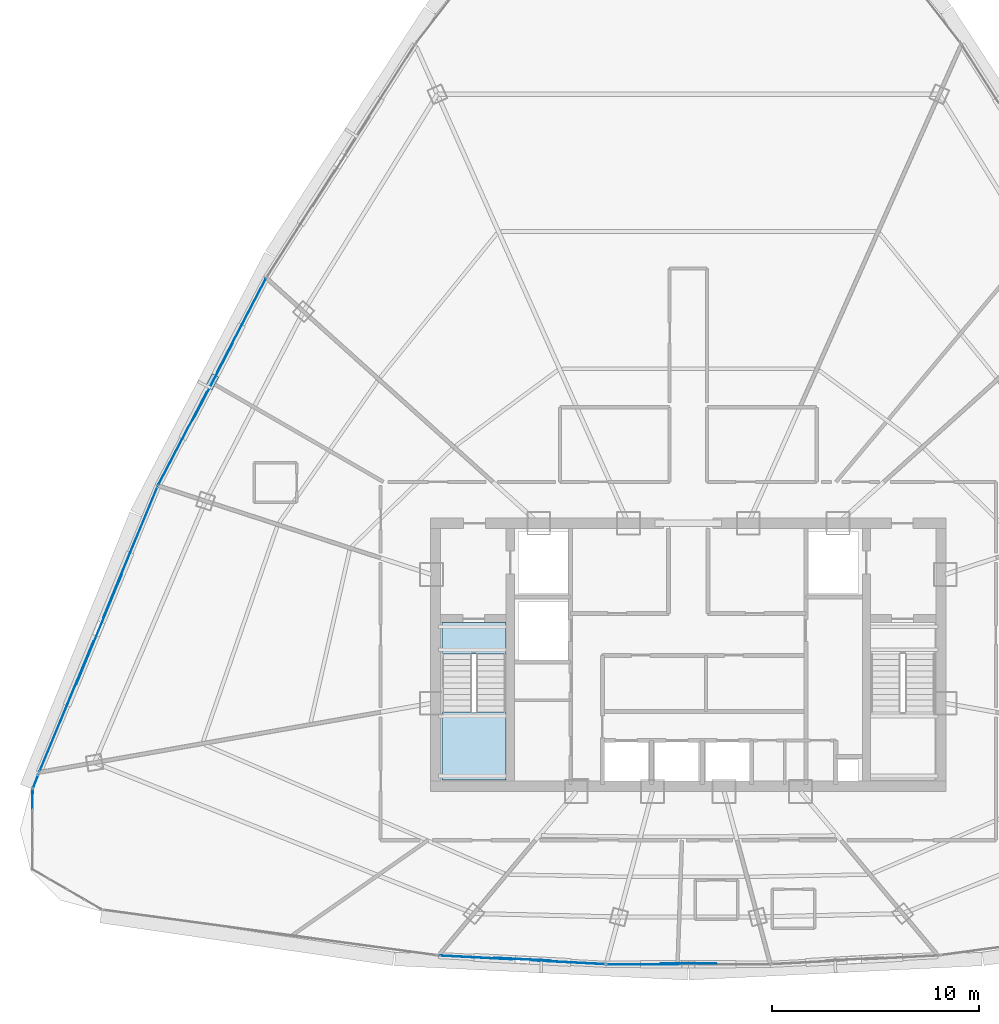
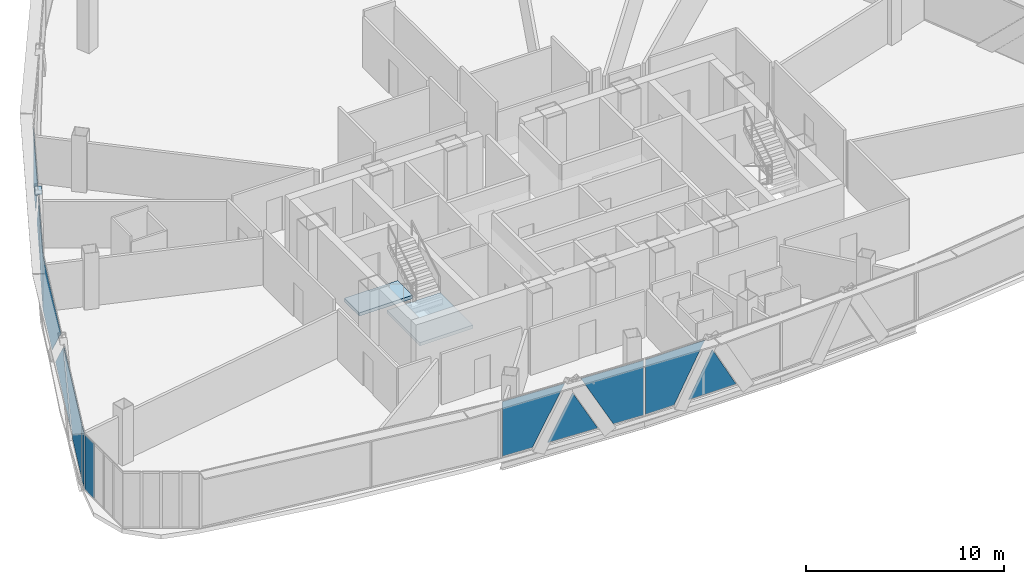
# One storey, part 30 of 40: 14 plates, 2 slabs, 7 elements without a shape of their own.
"""IFC4 building model written with IfcOpenShell, lengths in metres."""

from ifc_helpers import new_model, si_unit, direction, frame, origin, origin_2d, place, context, subcontext, project, spatial, polyline, rectangle, outline, extrude, source, transform, mapped, material, layer, layer_set, type_object, element, aggregate, save


model = new_model("IFC4")

# Units and contexts
model_context = context("Model", 3, precision=1e-05, world=origin(), true_north=direction((0.0, 1.0)))
body_context = subcontext(model_context, "Body", "Model", "MODEL_VIEW")
ifc_project = project(units=[si_unit("LENGTHUNIT", "METRE"), si_unit("AREAUNIT", "SQUARE_METRE"), si_unit("VOLUMEUNIT", "CUBIC_METRE"), si_unit("PLANEANGLEUNIT", "RADIAN"), si_unit("MASSUNIT", "GRAM", prefix="KILO"), si_unit("THERMODYNAMICTEMPERATUREUNIT", "KELVIN"), si_unit("POWERUNIT", "WATT")], contexts=[model_context])

# Site, building, storey
site_placement = place(None, origin())
site = spatial("IfcSite", under=ifc_project, at=site_placement, CompositionType="ELEMENT")
building_placement = place(site_placement, origin())
building = spatial("IfcBuilding", under=site, at=building_placement, Name="Yunzhuo Pagoda Commons", CompositionType="ELEMENT")
storey_placement = place(building_placement, frame((0.0, 0.0, 292.47998046875)))
storey = spatial("IfcBuildingStorey", under=building, at=storey_placement, Name="L73", CompositionType="ELEMENT", Elevation=292.47998046875)

# Curtain wall, plates
ifc_material_1 = material(Name="Anodized aluminium 6063-T6", Category="aluminium")
ifc_layer_1 = layer(ifc_material_1, 0.139892578125)
ifc_layer_set_1 = layer_set([ifc_layer_1], Name="Anodized aluminium 6063-T6")
curtain_wall_type_1 = type_object("IfcCurtainWallType", Name="CW-HI High-Zone Ribbon Curtain Wall", PredefinedType="NOTDEFINED", material=ifc_layer_set_1)
curtain_wall_1_placement = place(storey_placement, origin())
curtain_wall_1 = element("IfcCurtainWall", 1, at=curtain_wall_1_placement, inside=storey, type_object=curtain_wall_type_1, Name="L73 curtain wall CW-L73-F1B2", PredefinedType="NOTDEFINED")
ifc_material_2 = material(Name="Tempered low-e double glazing", Category="glass")
ifc_layer_2 = layer(ifc_material_2, 0.02587890625)
ifc_layer_set_2 = layer_set([ifc_layer_2], Name="Tempered low-e double glazing")
plate_type_1 = type_object("IfcPlateType", Name="CW-HI-P Low-E Double Glazing 26", PredefinedType="CURTAIN_PANEL", material=ifc_layer_set_2)
plate_1_placement = place(storey_placement, frame((37.767822265625, 19.252197265625, 1.735107421875), z_axis=(-0.052189625547, -0.998637192871, 0.0), x_axis=(0.998637192871, -0.052189625547, 0.0)))
plate_1 = element("IfcPlate", 2, at=plate_1_placement, type_object=plate_type_1, Name="CW panel 1.1 lite 1", PredefinedType="CURTAIN_PANEL", context=body_context, shape_type="SweptSolid", body=[
    extrude(outline(polyline([(-1.7646484375, -1.679931640625), (-0.060302734375, -1.679931640625), (1.7646484375, 1.679931640625), (-1.7646484375, 1.679931640625), (-1.7646484375, -1.679931640625)])), origin(), (0.0, 0.0, 1.0), 0.028076171875),
])
plate_2_placement = place(storey_placement, frame((39.993408203125, 19.166015625, 1.364501953125), z_axis=(-0.052189625547, -0.998637192871, 0.0), x_axis=(0.998637192871, -0.052189625547, 0.0)))
plate_2 = element("IfcPlate", 3, at=plate_2_placement, type_object=plate_type_1, Name="CW panel 1.1 lite 2", PredefinedType="CURTAIN_PANEL", context=body_context, shape_type="SweptSolid", body=[
    extrude(outline(polyline([(-1.42236328125, -1.309326171875), (1.42236328125, -1.309326171875), (0.0, 1.309326171875), (-1.42236328125, -1.309326171875)])), origin(), (0.0, 0.0, 1.0), 0.028076171875),
])
plate_3_placement = place(storey_placement, frame((42.2158203125, 19.019775390625, 1.735107421875), z_axis=(-0.052189625547, -0.998637192871, 0.0), x_axis=(0.998637192871, -0.052189625547, 0.0)))
plate_3 = element("IfcPlate", 4, at=plate_3_placement, type_object=plate_type_1, Name="CW panel 1.1 lite 3", PredefinedType="CURTAIN_PANEL", context=body_context, shape_type="SweptSolid", body=[
    extrude(outline(polyline([(-1.7646484375, 1.679931640625), (0.060302734375, -1.679931640625), (1.7646484375, -1.679931640625), (1.7646484375, 1.679931640625), (-1.7646484375, 1.679931640625)])), origin(), (0.0, 0.0, 1.0), 0.028076171875),
])
aggregate(curtain_wall_1, [plate_1, plate_2, plate_3])

curtain_wall_2_placement = place(storey_placement, origin())
curtain_wall_2 = element("IfcCurtainWall", 5, at=curtain_wall_2_placement, inside=storey, type_object=curtain_wall_type_1, Name="L73 curtain wall CW-L73-F1B3", PredefinedType="NOTDEFINED")
plate_4_placement = place(storey_placement, frame((45.81884765625, 18.9248046875, 1.735107421875), z_axis=(0.0, -1.0, 0.0), x_axis=(1.0, 0.0, 0.0)))
plate_4 = element("IfcPlate", 6, at=plate_4_placement, type_object=plate_type_1, Name="CW panel 1.1 lite 1", PredefinedType="CURTAIN_PANEL", context=body_context, shape_type="SweptSolid", body=[
    extrude(outline(polyline([(-1.7216796875, -1.679931640625), (-0.063232421875, -1.679931640625), (1.7216796875, 1.679931640625), (-1.7216796875, 1.679931640625), (-1.7216796875, -1.679931640625)])), origin(), (0.0, 0.0, 1.0), 0.028076171875),
])
plate_5_placement = place(storey_placement, frame((48.0, 18.95458984375, 1.357421875), z_axis=(0.0, -1.0, 0.0), x_axis=(1.0, 0.0, 0.0)))
plate_5 = element("IfcPlate", 7, at=plate_5_placement, type_object=plate_type_1, Name="CW panel 1.1 lite 2", PredefinedType="CURTAIN_PANEL", context=body_context, shape_type="SweptSolid", body=[
    extrude(outline(polyline([(-1.3837890625, -1.302490234375), (1.3837890625, -1.302490234375), (0.0, 1.302490234375), (-1.3837890625, -1.302490234375)])), origin(), (0.0, 0.0, 1.0), 0.028076171875),
])
aggregate(curtain_wall_2, [plate_4, plate_5])

curtain_wall_3_placement = place(storey_placement, origin())
curtain_wall_3 = element("IfcCurtainWall", 8, at=curtain_wall_3_placement, inside=storey, type_object=curtain_wall_type_1, Name="L73 curtain wall CW-L73-F3B3", PredefinedType="NOTDEFINED")
plate_6_placement = place(storey_placement, frame((26.43896484375, 49.73388671875, 1.735107421875), z_axis=(-0.886761092291, 0.462228044582, 0.0), x_axis=(-0.462228044582, -0.886761092291, 0.0)))
plate_6 = element("IfcPlate", 9, at=plate_6_placement, type_object=plate_type_1, Name="CW panel 1.1 lite 1", PredefinedType="CURTAIN_PANEL", context=body_context, shape_type="SweptSolid", body=[
    extrude(outline(polyline([(-2.537353515625, -1.679931640625), (-0.0087890625, -1.679931640625), (2.537353515625, 1.679931640625), (-2.537353515625, 1.679931640625), (-2.537353515625, -1.679931640625)])), origin(), (0.0, 0.0, 1.0), 0.028076171875),
])
plate_7_placement = place(storey_placement, frame((25.05322265625, 47.01025390625, 1.447998046875), z_axis=(-0.886761092291, 0.462228044582, 0.0), x_axis=(-0.462228044582, -0.886761092291, 0.0)))
plate_7 = element("IfcPlate", 10, at=plate_7_placement, type_object=plate_type_1, Name="CW panel 1.1 lite 2", PredefinedType="CURTAIN_PANEL", context=body_context, shape_type="SweptSolid", body=[
    extrude(outline(polyline([(-2.111083984375, -1.392822265625), (2.111083984375, -1.392822265625), (0.0, 1.392822265625), (-2.111083984375, -1.392822265625)])), origin(), (0.0, 0.0, 1.0), 0.028076171875),
])
plate_8_placement = place(storey_placement, frame((23.614013671875, 44.314208984375, 1.735107421875), z_axis=(-0.886761092291, 0.462228044582, 0.0), x_axis=(-0.462228044582, -0.886761092291, 0.0)))
plate_8 = element("IfcPlate", 11, at=plate_8_placement, type_object=plate_type_1, Name="CW panel 1.1 lite 3", PredefinedType="CURTAIN_PANEL", context=body_context, shape_type="SweptSolid", body=[
    extrude(outline(polyline([(-2.537353515625, 1.679931640625), (0.0087890625, -1.679931640625), (2.537353515625, -1.679931640625), (2.537353515625, 1.679931640625), (-2.537353515625, 1.679931640625)])), origin(), (0.0, 0.0, 1.0), 0.028076171875),
])
aggregate(curtain_wall_3, [plate_6, plate_7, plate_8])

curtain_wall_4_placement = place(storey_placement, origin())
curtain_wall_4 = element("IfcCurtainWall", 12, at=curtain_wall_4_placement, inside=storey, type_object=curtain_wall_type_1, Name="L73 curtain wall CW-L73-F3B4", PredefinedType="NOTDEFINED")
plate_9_placement = place(storey_placement, frame((21.082763671875, 38.79833984375, 1.735107421875), z_axis=(-0.923899046183, 0.382636318796, 0.0), x_axis=(-0.382636318796, -0.923899046183, 0.0)))
plate_9 = element("IfcPlate", 13, at=plate_9_placement, type_object=plate_type_1, Name="CW panel 1.1 lite 1", PredefinedType="CURTAIN_PANEL", context=body_context, shape_type="SweptSolid", body=[
    extrude(outline(polyline([(-3.418701171875, -1.679931640625), (0.044677734375, -1.679931640625), (3.418701171875, 1.679931640625), (-3.418701171875, 1.679931640625), (-3.418701171875, -1.679931640625)])), origin(), (0.0, 0.0, 1.0), 0.028076171875),
])
plate_10_placement = place(storey_placement, frame((19.5751953125, 35.079833984375, 1.494384765625), z_axis=(-0.923899046183, 0.382636318796, 0.0), x_axis=(-0.382636318796, -0.923899046183, 0.0)))
plate_10 = element("IfcPlate", 14, at=plate_10_placement, type_object=plate_type_1, Name="CW panel 1.1 lite 2", PredefinedType="CURTAIN_PANEL", context=body_context, shape_type="SweptSolid", body=[
    extrude(outline(polyline([(-2.890625, -1.439208984375), (2.890625, -1.439208984375), (0.0, 1.439208984375), (-2.890625, -1.439208984375)])), origin(), (0.0, 0.0, 1.0), 0.028076171875),
])
plate_11_placement = place(storey_placement, frame((18.01220703125, 31.384033203125, 1.735107421875), z_axis=(-0.923899046183, 0.382636318796, 0.0), x_axis=(-0.382636318796, -0.923899046183, 0.0)))
plate_11 = element("IfcPlate", 15, at=plate_11_placement, type_object=plate_type_1, Name="CW panel 1.1 lite 3", PredefinedType="CURTAIN_PANEL", context=body_context, shape_type="SweptSolid", body=[
    extrude(outline(polyline([(-3.418701171875, 1.679931640625), (-0.044677734375, -1.679931640625), (3.418701171875, -1.679931640625), (3.418701171875, 1.679931640625), (-3.418701171875, 1.679931640625)])), origin(), (0.0, 0.0, 1.0), 0.028076171875),
])
aggregate(curtain_wall_4, [plate_9, plate_10, plate_11])

# Stair, slabs
ifc_material_3 = material(Name="Concrete C40", Category="concrete")
stair_type = type_object("IfcStairType", Name="ST-C1 Core Smokeproof Stair ST1", PredefinedType="HALF_TURN_STAIR", material=ifc_material_3)
stair_placement = place(storey_placement, origin())
stair = element("IfcStair", 16, at=stair_placement, inside=storey, type_object=stair_type, Name="L73 Core smokeproof stair ST1", PredefinedType="HALF_TURN_STAIR")
ifc_layer_3 = layer(ifc_material_3, 0.199951171875)
ifc_layer_set_3 = layer_set([ifc_layer_3], Name="Concrete C40")
slab_type = type_object("IfcSlabType", Name="SL-LND1 Stair Landing Slab 200", PredefinedType="LANDING", material=ifc_layer_set_3)
slab_1_placement = place(storey_placement, frame((0.0, 0.0, 1.6650390625)))
slab_1 = element("IfcSlab", 17, at=slab_1_placement, type_object=slab_type, Name="ST1 landing 1", PredefinedType="LANDING", context=body_context, shape_type="SweptSolid", body=[
    extrude(outline(polyline([(36.10009765625, 31.10009765625), (36.10009765625, 27.800048828125), (39.199951171875, 27.800048828125), (39.199951171875, 31.10009765625), (36.10009765625, 31.10009765625)])), origin(), (0.0, 0.0, 1.0), 0.199951171875),
])
slab_2_placement = place(storey_placement, frame((0.0, 0.0, -0.199951171875)))
slab_2 = element("IfcSlab", 18, at=slab_2_placement, type_object=slab_type, Name="ST1 floor landing L73", PredefinedType="LANDING", context=body_context, shape_type="SweptSolid", body=[
    extrude(outline(polyline([(36.10009765625, 35.39990234375), (36.10009765625, 33.89990234375), (39.199951171875, 33.89990234375), (39.199951171875, 35.39990234375), (36.10009765625, 35.39990234375)])), origin(), (0.0, 0.0, 1.0), 0.199951171875),
])
aggregate(stair, [slab_1, slab_2])

# Plate
ifc_material_4 = material(Name="Structural steel Q355B", Category="steel")
ifc_layer_4 = layer(ifc_material_4, 0.028076171875)
ifc_layer_set_4 = layer_set([ifc_layer_4], Name="Structural steel Q355B")
plate_type_2 = type_object("IfcPlateType", Name="SP-ND1 Lattice Node Cap Plate 800x500x28", PredefinedType="USERDEFINED", material=ifc_layer_set_4)
shared_shape_1 = source(origin(), body_context, "Body", "SweptSolid", [
    extrude(rectangle(XDim=0.699951171875, YDim=0.35009765625, at=origin_2d()), origin(), (0.0, 0.0, 1.0), 0.035888671875),
])
plate_12_placement = place(storey_placement, frame((25.01416015625, 47.03076171875, 3.43212890625), z_axis=(0.0, 0.0, 1.0), x_axis=(-0.462228464672, -0.886760873318, 0.0)))
element("IfcPlate", 19, at=plate_12_placement, inside=storey, type_object=plate_type_2, Name="L73 setback lattice tie plate F3.2L", ObjectType="STIFFENER_PLATE", PredefinedType="USERDEFINED", context=body_context, shape_type="MappedRepresentation", body=[
    mapped(shared_shape_1, transform((0.0, 0.0, 0.0), scale=1.0)),
])

# Curtain wall, plate
curtain_wall_5_placement = place(storey_placement, origin())
curtain_wall_5 = element("IfcCurtainWall", 20, at=curtain_wall_5_placement, inside=storey, type_object=curtain_wall_type_1, Name="L73 curtain wall CW-L73-F3B5", PredefinedType="NOTDEFINED")
shared_shape_2 = source(origin(), body_context, "Body", "SweptSolid", [
    extrude(rectangle(XDim=0.6689453125, YDim=0.028076171875, at=origin_2d()), origin(), (0.0, 0.0, 1.0), 3.360107421875),
])
plate_13_placement = place(storey_placement, frame((16.498046875, 27.73779296875, 0.05517578125), z_axis=(0.0, 0.0, 1.0), x_axis=(-0.36265423017, -0.931923767987, 0.0)))
plate_13 = element("IfcPlate", 21, at=plate_13_placement, type_object=plate_type_1, Name="CW panel 1.1", PredefinedType="CURTAIN_PANEL", context=body_context, shape_type="MappedRepresentation", body=[
    mapped(shared_shape_2, transform((0.0, 0.0, 0.0), scale=1.0)),
])
aggregate(curtain_wall_5, [plate_13])

ifc_layer_5 = layer(ifc_material_1, 0.1298828125)
ifc_layer_set_5 = layer_set([ifc_layer_5], Name="Anodized aluminium 6063-T6")
curtain_wall_type_2 = type_object("IfcCurtainWallType", Name="CW-VTX Rounded Corner Curtain Wall", PredefinedType="NOTDEFINED", material=ifc_layer_set_5)
curtain_wall_6_placement = place(storey_placement, origin())
curtain_wall_6 = element("IfcCurtainWall", 22, at=curtain_wall_6_placement, inside=storey, type_object=curtain_wall_type_2, Name="L73 curtain wall CW-L73-VTX1S1", PredefinedType="NOTDEFINED")
ifc_layer_6 = layer(ifc_material_2, 0.02587890625)
ifc_layer_set_6 = layer_set([ifc_layer_6], Name="Tempered low-e double glazing")
plate_type_3 = type_object("IfcPlateType", Name="CW-VTX-P Low-E Double Glazing 26", PredefinedType="CURTAIN_PANEL", material=ifc_layer_set_6)
shared_shape_3 = source(origin(), body_context, "Body", "SweptSolid", [
    extrude(rectangle(XDim=0.8994140625, YDim=0.028076171875, at=origin_2d()), origin(), (0.0, 0.0, 1.0), 3.360107421875),
])
plate_14_placement = place(storey_placement, frame((16.35302734375, 26.865478515625, 0.05517578125), z_axis=(0.0, 0.0, 1.0), x_axis=(-0.003589955472, -0.999993556089, 0.0)))
plate_14 = element("IfcPlate", 23, at=plate_14_placement, type_object=plate_type_3, Name="CW panel 1.1", PredefinedType="CURTAIN_PANEL", context=body_context, shape_type="MappedRepresentation", body=[
    mapped(shared_shape_3, transform((0.0, 0.0, 0.0), scale=1.0)),
])
aggregate(curtain_wall_6, [plate_14])

save(model, "model.ifc")
